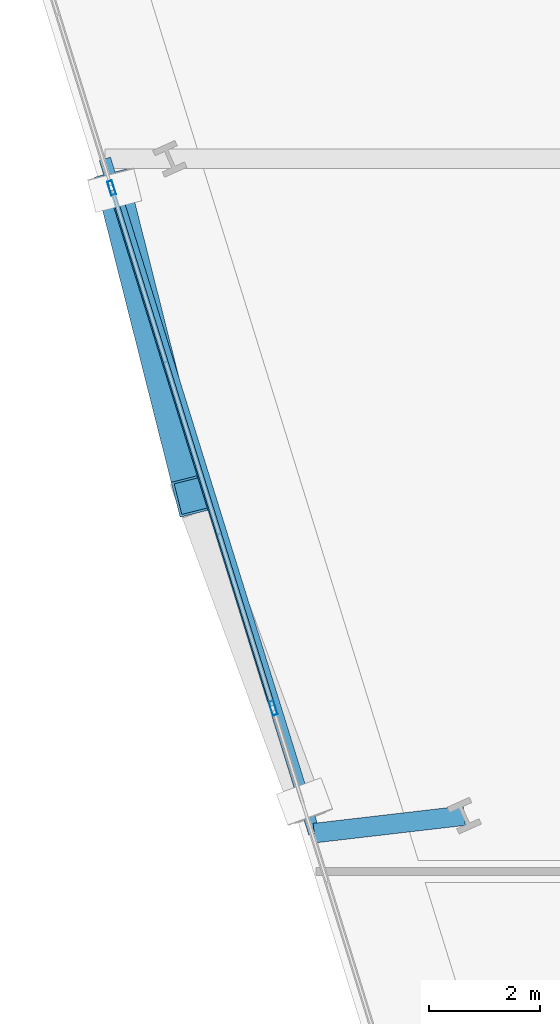
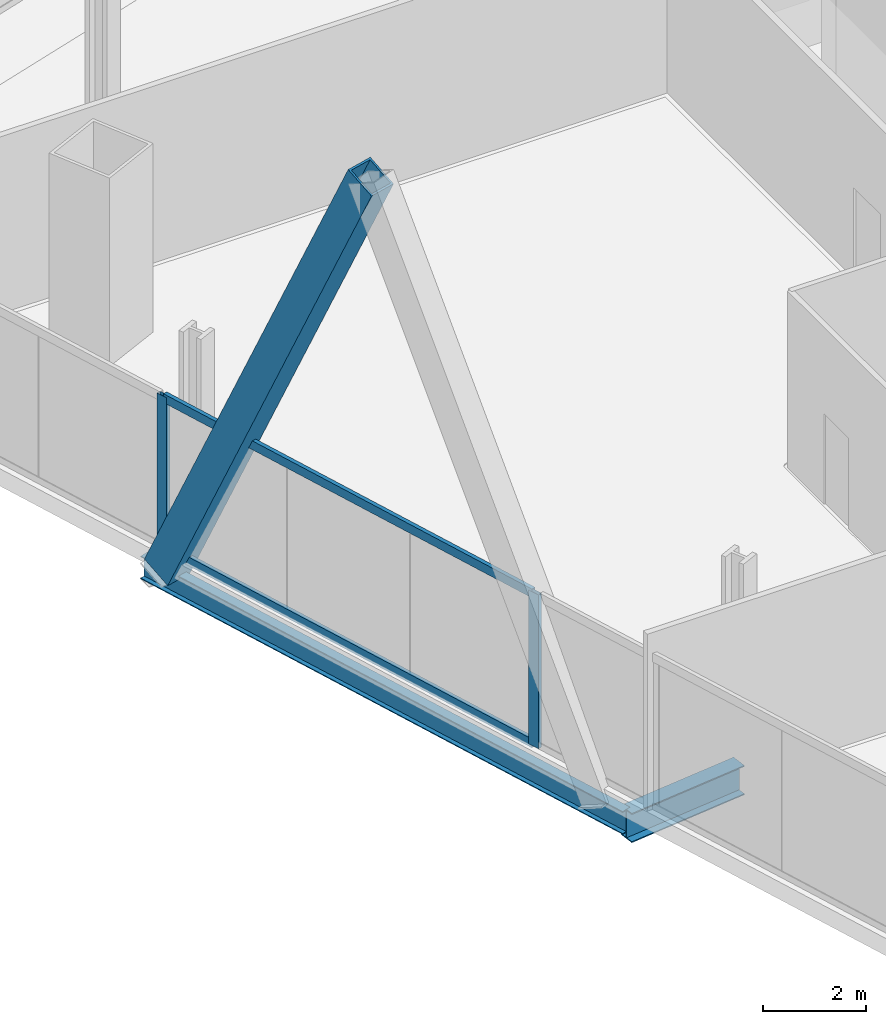
# One storey, part 4 of 26: 5 members, 2 beams, 1 element without a shape of its own.
"""IFC4 building model written with IfcOpenShell, lengths in metres."""

from ifc_helpers import new_model, si_unit, direction, frame, origin, origin_2d, place, context, subcontext, project, spatial, hollow_rectangle, i_section, extrude, material, material_profile, profile_set, type_object, element, aggregate, save


model = new_model("IFC4")

# Units and contexts
model_context = context("Model", 3, precision=1e-05, world=origin(), true_north=direction((0.0, 1.0)))
body_context = subcontext(model_context, "Body", "Model", "MODEL_VIEW")
ifc_project = project(units=[si_unit("LENGTHUNIT", "METRE"), si_unit("AREAUNIT", "SQUARE_METRE"), si_unit("VOLUMEUNIT", "CUBIC_METRE"), si_unit("PLANEANGLEUNIT", "RADIAN"), si_unit("MASSUNIT", "GRAM", prefix="KILO")], contexts=[model_context])

# Site, building, storey
site_placement = place(None, origin())
site = spatial("IfcSite", under=ifc_project, at=site_placement, CompositionType="ELEMENT")
building_placement = place(site_placement, origin())
building = spatial("IfcBuilding", under=site, at=building_placement, Name="Haldenkirk Collegiate Tower", CompositionType="ELEMENT")
storey_placement = place(building_placement, frame((0.0, 0.0, 85.949951171875)))
storey = spatial("IfcBuildingStorey", under=building, at=storey_placement, Name="L20", CompositionType="ELEMENT", Elevation=85.949951171875)

# Beams
ifc_material_1 = material(Name="Steel ASTM A992 Grade 50", Category="steel")
ifc_material_profile_1 = material_profile(ifc_material_1, i_section(OverallWidth=0.35498046875, OverallDepth=0.696044921875, WebThickness=0.015380859375, FlangeThickness=0.02490234375, at=origin_2d()), Name="W27X146")
ifc_profile_set_1 = profile_set([ifc_material_profile_1], Name="Steel ASTM A992 Grade 50")
beam_type_1 = type_object("IfcBeamType", Name="BM-GIRDER-W27X146", PredefinedType="BEAM", material=ifc_profile_set_1)
beam_1_placement = place(storey_placement, frame((14.642578125, 16.560791015625, -0.758056640625), z_axis=(-0.993295686656, -0.115601379194, 0.0), x_axis=(0.115601379194, -0.993295686656, 0.0)))
element("IfcBeam", 1, at=beam_1_placement, inside=storey, type_object=beam_type_1, Name="L20 facade lookout girder 15", PredefinedType="BEAM", context=body_context, shape_type="SweptSolid", body=[
    extrude(i_section(OverallWidth=0.35498046875, OverallDepth=0.696044921875, WebThickness=0.015380859375, FlangeThickness=0.02490234375, at=origin_2d()), origin(), (0.0, 0.0, 1.0), 2.730712890625),
])
ifc_material_profile_2 = material_profile(ifc_material_1, i_section(OverallWidth=0.2119140625, OverallDepth=0.5439453125, WebThickness=0.01318359375, FlangeThickness=0.021240234375, at=origin_2d()), Name="W21X83")
ifc_profile_set_2 = profile_set([ifc_material_profile_2], Name="Steel ASTM A992 Grade 50")
beam_type_2 = type_object("IfcBeamType", Name="BM-SPANDREL-W21X83", PredefinedType="SPANDREL", material=ifc_profile_set_2)
beam_2_placement = place(storey_placement, frame((8.144287109375, 28.436767578125, -0.681884765625), z_axis=(0.296561622545, -0.955013719291, 0.0), x_axis=(0.955013719291, 0.296561622545, 0.0)))
element("IfcBeam", 2, at=beam_2_placement, inside=storey, type_object=beam_type_2, Name="L20 outer facade edge beam 4", PredefinedType="SPANDREL", context=body_context, shape_type="SweptSolid", body=[
    extrude(i_section(OverallWidth=0.2119140625, OverallDepth=0.5439453125, WebThickness=0.01318359375, FlangeThickness=0.021240234375, at=origin_2d()), origin(), (0.0, 0.0, 1.0), 12.765869140625),
])

# Curtain wall, members
ifc_material_2 = material(Name="Anodised architectural bronze aluminium", Category="aluminium")
curtain_wall_type = type_object("IfcCurtainWallType", Name="CW-SYS4-SKYGARDEN", PredefinedType="USERDEFINED", material=ifc_material_2)
curtain_wall_placement = place(storey_placement, origin())
curtain_wall = element("IfcCurtainWall", 3, at=curtain_wall_placement, inside=storey, type_object=curtain_wall_type, Name="L20 Sky-garden tall bronze curtain wall", ObjectType="UNITISED CURTAIN WALL", PredefinedType="USERDEFINED")
ifc_material_profile_3 = material_profile(ifc_material_2, hollow_rectangle(XDim=0.090087890625, YDim=0.260009765625, WallThickness=0.0048828125, at=origin_2d()), Name="CW-MUL-04")
ifc_profile_set_3 = profile_set([ifc_material_profile_3], Name="Anodised architectural bronze aluminium")
member_type_1 = type_object("IfcMemberType", Name="CW-MUL-04", PredefinedType="MULLION", material=ifc_profile_set_3)
member_1_placement = place(storey_placement, frame((11.1865234375, 18.504638671875, 0.0), z_axis=(0.0, 0.0, 1.0), x_axis=(-0.955020249653, -0.296540592082, 0.0)))
member_1 = element("IfcMember", 4, at=member_1_placement, type_object=member_type_1, Name="CW-04 mullion 3", PredefinedType="MULLION", context=body_context, shape_type="SweptSolid", body=[
    extrude(hollow_rectangle(XDim=0.090087890625, YDim=0.260009765625, WallThickness=0.0048828125, at=origin_2d()), origin(), (0.0, 0.0, 1.0), 3.651123046875),
])
member_2_placement = place(storey_placement, frame((8.265625, 27.91162109375, 0.0), z_axis=(0.0, 0.0, 1.0), x_axis=(-0.955020249653, -0.296540592082, 0.0)))
member_2 = element("IfcMember", 5, at=member_2_placement, type_object=member_type_1, Name="CW-04 mullion 4", PredefinedType="MULLION", context=body_context, shape_type="SweptSolid", body=[
    extrude(hollow_rectangle(XDim=0.090087890625, YDim=0.260009765625, WallThickness=0.0048828125, at=origin_2d()), origin(), (0.0, 0.0, 1.0), 3.651123046875),
])
ifc_material_profile_4 = material_profile(ifc_material_2, hollow_rectangle(XDim=0.090087890625, YDim=0.2099609375, WallThickness=0.0048828125, at=origin_2d()), Name="CW-TRN-04")
ifc_profile_set_4 = profile_set([ifc_material_profile_4], Name="Anodised architectural bronze aluminium")
member_type_2 = type_object("IfcMemberType", Name="CW-TRN-04", PredefinedType="USERDEFINED", material=ifc_profile_set_4)
member_3_placement = place(storey_placement, frame((11.173095703125, 18.547607421875, 0.045166015625), z_axis=(-0.296521164631, 0.955026281799, 0.0), x_axis=(-0.955026281799, -0.296521164631, 0.0)))
member_3 = element("IfcMember", 6, at=member_3_placement, type_object=member_type_2, Name="CW-04 transom 3.1", ObjectType="TRANSOM", PredefinedType="USERDEFINED", context=body_context, shape_type="SweptSolid", body=[
    extrude(hollow_rectangle(XDim=0.090087890625, YDim=0.2099609375, WallThickness=0.0048828125, at=origin_2d()), origin(), (0.0, 0.0, 1.0), 9.760009765625),
])
member_4_placement = place(storey_placement, frame((11.173095703125, 18.547607421875, 3.60595703125), z_axis=(-0.296521164631, 0.955026281799, 0.0), x_axis=(-0.955026281799, -0.296521164631, 0.0)))
member_4 = element("IfcMember", 7, at=member_4_placement, type_object=member_type_2, Name="CW-04 transom 3.2", ObjectType="TRANSOM", PredefinedType="USERDEFINED", context=body_context, shape_type="SweptSolid", body=[
    extrude(hollow_rectangle(XDim=0.090087890625, YDim=0.2099609375, WallThickness=0.0048828125, at=origin_2d()), origin(), (0.0, 0.0, 1.0), 9.760009765625),
])
aggregate(curtain_wall, [member_1, member_2, member_3, member_4])

# Member
ifc_material_3 = material(Name="Steel ASTM A572 Grade 50", Category="steel")
ifc_material_profile_5 = material_profile(ifc_material_3, hollow_rectangle(XDim=0.60009765625, YDim=0.719970703125, WallThickness=0.044921875, at=origin_2d()), Name="BOX720X600X45")
ifc_profile_set_5 = profile_set([ifc_material_profile_5], Name="Steel ASTM A572 Grade 50")
member_type_3 = type_object("IfcMemberType", Name="MBR-MEGABRACE-BOX720X600X45", PredefinedType="BRACE", material=ifc_profile_set_5)
member_5_placement = place(storey_placement, frame((8.322265625, 27.86376953125, -0.419921875), z_axis=(0.104058119993, -0.412382530241, 0.905048372418), x_axis=(0.969607683752, 0.244664953782, 0.0)))
element("IfcMember", 8, at=member_5_placement, inside=storey, type_object=member_type_3, Name="Perimeter Mega Brace Z2 L20-L22 WL", PredefinedType="BRACE", context=body_context, shape_type="SweptSolid", body=[
    extrude(hollow_rectangle(XDim=0.60009765625, YDim=0.719970703125, WallThickness=0.044921875, at=origin_2d()), origin(), (0.0, 0.0, 1.0), 13.38037109375),
])

save(model, "model.ifc")
